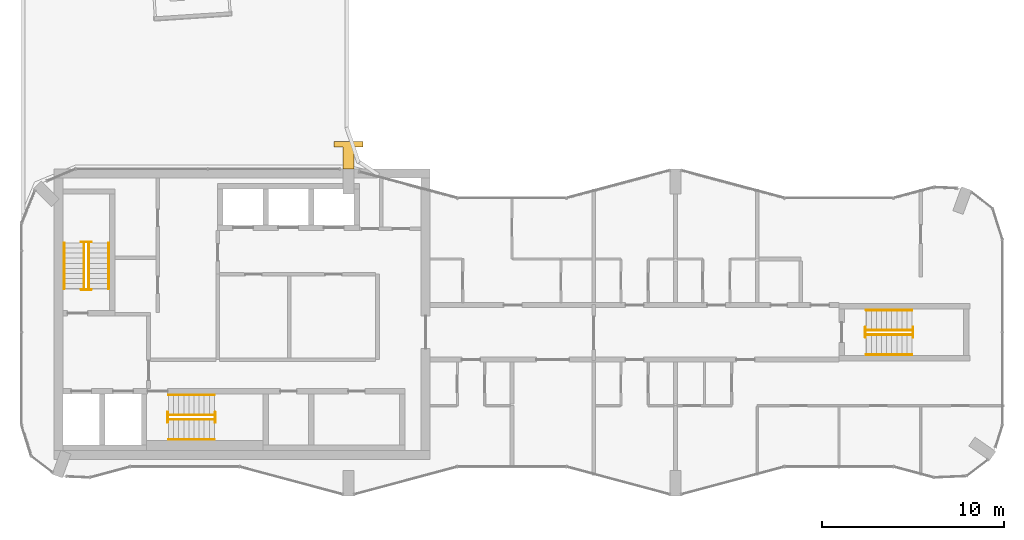
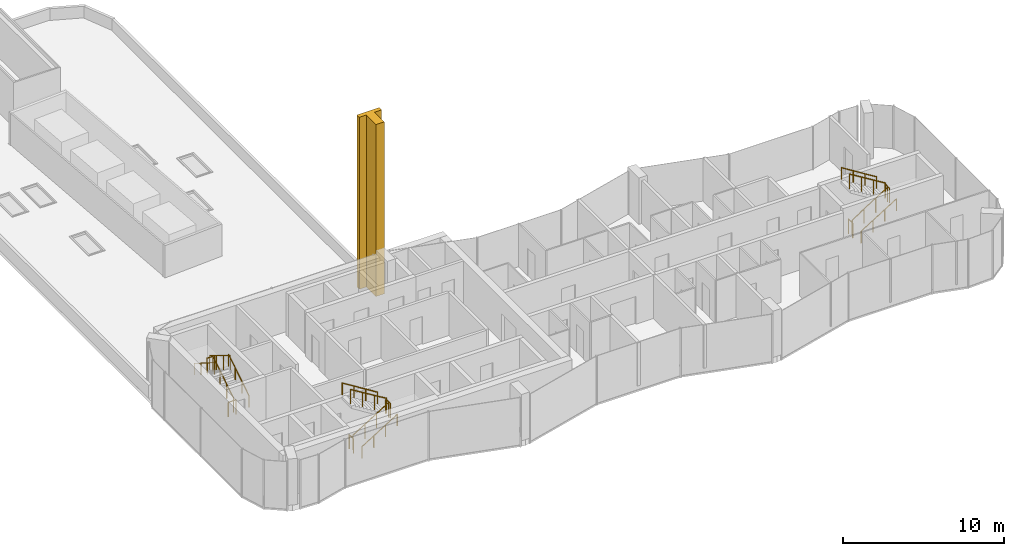
# One storey, part 11 of 13: 18 railings, 1 covering.
"""IFC4 building model written with IfcOpenShell, lengths in metres."""

from ifc_helpers import new_model, si_unit, direction, frame, origin, origin_2d, place, context, subcontext, project, spatial, polyline, circle, outline, extrude, material, type_object, element, save


model = new_model("IFC4")

# Units and contexts
model_context = context("Model", 3, precision=1e-05, world=origin(), true_north=direction((0.0, 1.0)))
body_context = subcontext(model_context, "Body", "Model", "MODEL_VIEW")
ifc_project = project(units=[si_unit("LENGTHUNIT", "METRE"), si_unit("AREAUNIT", "SQUARE_METRE"), si_unit("VOLUMEUNIT", "CUBIC_METRE"), si_unit("PLANEANGLEUNIT", "RADIAN"), si_unit("MASSUNIT", "GRAM", prefix="KILO")], contexts=[model_context])

# Site, building, storey
site_placement = place(None, origin())
site = spatial("IfcSite", under=ifc_project, at=site_placement, CompositionType="ELEMENT")
building_placement = place(site_placement, origin())
building = spatial("IfcBuilding", under=site, at=building_placement, Name="Plateau Cross Towers", CompositionType="ELEMENT")
storey_placement = place(building_placement, frame((0.0, 0.0, 229.39990234375)))
storey = spatial("IfcBuildingStorey", under=building, at=storey_placement, Name="L60", CompositionType="ELEMENT", Elevation=229.39990234375)

# Covering
ifc_material_1 = material(Name="Light precast concrete cladding C40/50", Category="concrete")
covering_type = type_object("IfcCoveringType", Name="Pier fin cladding 1600x1500", PredefinedType="CLADDING", material=ifc_material_1)
covering_placement = place(storey_placement, origin())
element("IfcCovering", 1, at=covering_placement, inside=storey, type_object=covering_type, Name="Pier fin PR13", PredefinedType="CLADDING", context=body_context, shape_type="SweptSolid", body=[
    extrude(outline(polyline([(17.699951171875, 18.0), (18.300048828125, 18.0), (18.300048828125, 19.199951171875), (18.800048828125, 19.199951171875), (18.800048828125, 19.5), (17.199951171875, 19.5), (17.199951171875, 19.199951171875), (17.699951171875, 19.199951171875), (17.699951171875, 18.0)])), origin(), (0.0, 0.0, 1.0), 13.0),
])

# Railings
ifc_material_2 = material(Name="Stainless steel and toughened glass", Category="steel")
railing_type_1 = type_object("IfcRailingType", Name="RL-GUARD-1100", PredefinedType="GUARDRAIL", material=ifc_material_2)
railing_1_placement = place(storey_placement, frame((3.699951171875, 11.39990234375, 0.175048828125)))
element("IfcRailing", 2, at=railing_1_placement, inside=storey, type_object=railing_type_1, Name="L60 ST-1 stair guard 1", PredefinedType="GUARDRAIL", context=body_context, shape_type="SweptSolid", body=[
    extrude(circle(Radius=0.02392578125, at=origin_2d()), frame((0.0, 0.0, 1.076171875), z_axis=(0.0, 0.848007534815, 0.529984170421), x_axis=(-1.0, 0.0, 0.0)), (0.0, 0.0, 1.0), 2.9716796875),
    extrude(circle(Radius=0.02099609375, at=origin_2d()), origin(), (0.0, 0.0, 1.0), 1.052001953125),
    extrude(circle(Radius=0.02099609375, at=origin_2d()), frame((0.0, 0.840087890625, 0.52490234375)), (0.0, 0.0, 1.0), 1.052001953125),
    extrude(circle(Radius=0.02099609375, at=origin_2d()), frame((0.0, 1.679931640625, 1.050048828125)), (0.0, 0.0, 1.0), 1.052001953125),
    extrude(circle(Radius=0.02099609375, at=origin_2d()), frame((0.0, 2.52001953125, 1.574951171875)), (0.0, 0.0, 1.0), 1.052001953125),
])
railing_2_placement = place(storey_placement, frame((3.85009765625, 13.969970703125, 1.75)))
element("IfcRailing", 3, at=railing_2_placement, inside=storey, type_object=railing_type_1, Name="L60 ST-1 stair guard 2", PredefinedType="GUARDRAIL", context=body_context, shape_type="SweptSolid", body=[
    extrude(circle(Radius=0.02392578125, at=origin_2d()), frame((0.0, 0.0, 1.076171875), z_axis=(-1.0, 0.0, 0.0), x_axis=(0.0, -1.0, 0.0)), (0.0, 0.0, 1.0), 0.550048828125),
    extrude(circle(Radius=0.02099609375, at=origin_2d()), origin(), (0.0, 0.0, 1.0), 1.052001953125),
    extrude(circle(Radius=0.02099609375, at=origin_2d()), frame((-0.550048828125, 0.0, 0.0)), (0.0, 0.0, 1.0), 1.052001953125),
])
railing_3_placement = place(storey_placement, frame((3.449951171875, 13.919921875, 1.925048828125)))
element("IfcRailing", 4, at=railing_3_placement, inside=storey, type_object=railing_type_1, Name="L60 ST-1 stair guard 3", PredefinedType="GUARDRAIL", context=body_context, shape_type="SweptSolid", body=[
    extrude(circle(Radius=0.02392578125, at=origin_2d()), frame((0.0, 0.0, 1.076171875), z_axis=(0.0, -0.852616386126, 0.522537365276), x_axis=(1.0, 0.0, 0.0)), (0.0, 0.0, 1.0), 3.01416015625),
    extrude(circle(Radius=0.02099609375, at=origin_2d()), origin(), (0.0, 0.0, 1.0), 1.052001953125),
    extrude(circle(Radius=0.02099609375, at=origin_2d()), frame((0.0, -0.856689453125, 0.52490234375)), (0.0, 0.0, 1.0), 1.052001953125),
    extrude(circle(Radius=0.02099609375, at=origin_2d()), frame((0.0, -1.713134765625, 1.050048828125)), (0.0, 0.0, 1.0), 1.052001953125),
    extrude(circle(Radius=0.02099609375, at=origin_2d()), frame((0.0, -2.56982421875, 1.574951171875)), (0.0, 0.0, 1.0), 1.052001953125),
])
railing_4_placement = place(storey_placement, frame((3.85009765625, 11.35009765625, 0.0)))
element("IfcRailing", 5, at=railing_4_placement, inside=storey, type_object=railing_type_1, Name="L60 ST-1 stair guard 4", PredefinedType="GUARDRAIL", context=body_context, shape_type="SweptSolid", body=[
    extrude(circle(Radius=0.02392578125, at=origin_2d()), frame((0.0, 0.0, 1.076171875), z_axis=(-1.0, 0.0, 0.0), x_axis=(0.0, -1.0, 0.0)), (0.0, 0.0, 1.0), 0.550048828125),
    extrude(circle(Radius=0.02099609375, at=origin_2d()), origin(), (0.0, 0.0, 1.0), 1.052001953125),
    extrude(circle(Radius=0.02099609375, at=origin_2d()), frame((-0.550048828125, 0.0, 0.0)), (0.0, 0.0, 1.0), 1.052001953125),
])
railing_5_placement = place(storey_placement, frame((8.10009765625, 4.199951171875, 0.175048828125)))
element("IfcRailing", 6, at=railing_5_placement, inside=storey, type_object=railing_type_1, Name="L60 ST-2 stair guard 1", PredefinedType="GUARDRAIL", context=body_context, shape_type="SweptSolid", body=[
    extrude(circle(Radius=0.02392578125, at=origin_2d()), frame((0.0, 0.0, 1.076171875), z_axis=(0.848007534815, 0.0, 0.529984170421), x_axis=(0.0, 1.0, 0.0)), (0.0, 0.0, 1.0), 2.9716796875),
    extrude(circle(Radius=0.02099609375, at=origin_2d()), origin(), (0.0, 0.0, 1.0), 1.052001953125),
    extrude(circle(Radius=0.02099609375, at=origin_2d()), frame((0.840087890625, 0.0, 0.52490234375)), (0.0, 0.0, 1.0), 1.052001953125),
    extrude(circle(Radius=0.02099609375, at=origin_2d()), frame((1.679931640625, 0.0, 1.050048828125)), (0.0, 0.0, 1.0), 1.052001953125),
    extrude(circle(Radius=0.02099609375, at=origin_2d()), frame((2.52001953125, 0.0, 1.574951171875)), (0.0, 0.0, 1.0), 1.052001953125),
])
railing_6_placement = place(storey_placement, frame((10.669921875, 4.050048828125, 1.75)))
element("IfcRailing", 7, at=railing_6_placement, inside=storey, type_object=railing_type_1, Name="L60 ST-2 stair guard 2", PredefinedType="GUARDRAIL", context=body_context, shape_type="SweptSolid", body=[
    extrude(circle(Radius=0.02392578125, at=origin_2d()), frame((0.0, 0.0, 1.076171875), z_axis=(0.0, 1.0, 0.0), x_axis=(-1.0, 0.0, 0.0)), (0.0, 0.0, 1.0), 0.550048828125),
    extrude(circle(Radius=0.02099609375, at=origin_2d()), origin(), (0.0, 0.0, 1.0), 1.052001953125),
    extrude(circle(Radius=0.02099609375, at=origin_2d()), frame((0.0, 0.550048828125, 0.0)), (0.0, 0.0, 1.0), 1.052001953125),
])
railing_7_placement = place(storey_placement, frame((10.6201171875, 4.449951171875, 1.925048828125)))
element("IfcRailing", 8, at=railing_7_placement, inside=storey, type_object=railing_type_1, Name="L60 ST-2 stair guard 3", PredefinedType="GUARDRAIL", context=body_context, shape_type="SweptSolid", body=[
    extrude(circle(Radius=0.02392578125, at=origin_2d()), frame((0.0, 0.0, 1.076171875), z_axis=(-0.852638500773, 0.0, 0.522501279423), x_axis=(0.0, -1.0, 0.0)), (0.0, 0.0, 1.0), 3.01416015625),
    extrude(circle(Radius=0.02099609375, at=origin_2d()), origin(), (0.0, 0.0, 1.0), 1.052001953125),
    extrude(circle(Radius=0.02099609375, at=origin_2d()), frame((-0.856689453125, 0.0, 0.52490234375)), (0.0, 0.0, 1.0), 1.052001953125),
    extrude(circle(Radius=0.02099609375, at=origin_2d()), frame((-1.71337890625, 0.0, 1.050048828125)), (0.0, 0.0, 1.0), 1.052001953125),
    extrude(circle(Radius=0.02099609375, at=origin_2d()), frame((-2.570068359375, 0.0, 1.574951171875)), (0.0, 0.0, 1.0), 1.052001953125),
])
railing_8_placement = place(storey_placement, frame((8.050048828125, 4.050048828125, 0.0)))
element("IfcRailing", 9, at=railing_8_placement, inside=storey, type_object=railing_type_1, Name="L60 ST-2 stair guard 4", PredefinedType="GUARDRAIL", context=body_context, shape_type="SweptSolid", body=[
    extrude(circle(Radius=0.02392578125, at=origin_2d()), frame((0.0, 0.0, 1.076171875), z_axis=(0.0, 1.0, 0.0), x_axis=(-1.0, 0.0, 0.0)), (0.0, 0.0, 1.0), 0.550048828125),
    extrude(circle(Radius=0.02099609375, at=origin_2d()), origin(), (0.0, 0.0, 1.0), 1.052001953125),
    extrude(circle(Radius=0.02099609375, at=origin_2d()), frame((0.0, 0.550048828125, 0.0)), (0.0, 0.0, 1.0), 1.052001953125),
])
railing_9_placement = place(storey_placement, frame((46.5, 8.875, 0.175048828125)))
element("IfcRailing", 10, at=railing_9_placement, inside=storey, type_object=railing_type_1, Name="L60 ES-E stair guard 1", PredefinedType="GUARDRAIL", context=body_context, shape_type="SweptSolid", body=[
    extrude(circle(Radius=0.02392578125, at=origin_2d()), frame((0.0, 0.0, 1.076171875), z_axis=(0.848007534815, 0.0, 0.529984170421), x_axis=(0.0, 1.0, 0.0)), (0.0, 0.0, 1.0), 2.9716796875),
    extrude(circle(Radius=0.02099609375, at=origin_2d()), origin(), (0.0, 0.0, 1.0), 1.052001953125),
    extrude(circle(Radius=0.02099609375, at=origin_2d()), frame((0.840087890625, 0.0, 0.52490234375)), (0.0, 0.0, 1.0), 1.052001953125),
    extrude(circle(Radius=0.02099609375, at=origin_2d()), frame((1.679931640625, 0.0, 1.050048828125)), (0.0, 0.0, 1.0), 1.052001953125),
    extrude(circle(Radius=0.02099609375, at=origin_2d()), frame((2.52001953125, 0.0, 1.574951171875)), (0.0, 0.0, 1.0), 1.052001953125),
])
railing_10_placement = place(storey_placement, frame((49.070068359375, 8.72509765625, 1.75)))
element("IfcRailing", 11, at=railing_10_placement, inside=storey, type_object=railing_type_1, Name="L60 ES-E stair guard 2", PredefinedType="GUARDRAIL", context=body_context, shape_type="SweptSolid", body=[
    extrude(circle(Radius=0.02392578125, at=origin_2d()), frame((0.0, 0.0, 1.076171875), z_axis=(0.0, 1.0, 0.0), x_axis=(-1.0, 0.0, 0.0)), (0.0, 0.0, 1.0), 0.5498046875),
    extrude(circle(Radius=0.02099609375, at=origin_2d()), origin(), (0.0, 0.0, 1.0), 1.052001953125),
    extrude(circle(Radius=0.02099609375, at=origin_2d()), frame((0.0, 0.5498046875, 0.0)), (0.0, 0.0, 1.0), 1.052001953125),
])
railing_11_placement = place(storey_placement, frame((49.02001953125, 9.125, 1.925048828125)))
element("IfcRailing", 12, at=railing_11_placement, inside=storey, type_object=railing_type_1, Name="L60 ES-E stair guard 3", PredefinedType="GUARDRAIL", context=body_context, shape_type="SweptSolid", body=[
    extrude(circle(Radius=0.02392578125, at=origin_2d()), frame((0.0, 0.0, 1.076171875), z_axis=(-0.852638500773, 0.0, 0.522501279423), x_axis=(0.0, -1.0, 0.0)), (0.0, 0.0, 1.0), 3.01416015625),
    extrude(circle(Radius=0.02099609375, at=origin_2d()), origin(), (0.0, 0.0, 1.0), 1.052001953125),
    extrude(circle(Radius=0.02099609375, at=origin_2d()), frame((-0.856689453125, 0.0, 0.52490234375)), (0.0, 0.0, 1.0), 1.052001953125),
    extrude(circle(Radius=0.02099609375, at=origin_2d()), frame((-1.71337890625, 0.0, 1.050048828125)), (0.0, 0.0, 1.0), 1.052001953125),
    extrude(circle(Radius=0.02099609375, at=origin_2d()), frame((-2.570068359375, 0.0, 1.574951171875)), (0.0, 0.0, 1.0), 1.052001953125),
])
railing_12_placement = place(storey_placement, frame((46.449951171875, 8.72509765625, 0.0)))
element("IfcRailing", 13, at=railing_12_placement, inside=storey, type_object=railing_type_1, Name="L60 ES-E stair guard 4", PredefinedType="GUARDRAIL", context=body_context, shape_type="SweptSolid", body=[
    extrude(circle(Radius=0.02392578125, at=origin_2d()), frame((0.0, 0.0, 1.076171875), z_axis=(0.0, 1.0, 0.0), x_axis=(-1.0, 0.0, 0.0)), (0.0, 0.0, 1.0), 0.5498046875),
    extrude(circle(Radius=0.02099609375, at=origin_2d()), origin(), (0.0, 0.0, 1.0), 1.052001953125),
    extrude(circle(Radius=0.02099609375, at=origin_2d()), frame((0.0, 0.5498046875, 0.0)), (0.0, 0.0, 1.0), 1.052001953125),
])
ifc_material_3 = material(Name="Black anodised aluminium", Category="aluminium")
railing_type_2 = type_object("IfcRailingType", Name="RL-HANDRAIL-900", PredefinedType="HANDRAIL", material=ifc_material_3)
railing_13_placement = place(storey_placement, frame((4.800048828125, 11.39990234375, 0.175048828125)))
element("IfcRailing", 14, at=railing_13_placement, inside=storey, type_object=railing_type_2, Name="L60 ST-1 stair handrail 1", PredefinedType="HANDRAIL", context=body_context, shape_type="SweptSolid", body=[
    extrude(circle(Radius=0.02392578125, at=origin_2d()), frame((0.0, 0.0, 0.8759765625), z_axis=(0.0, 0.848007534815, 0.529984170421), x_axis=(-1.0, 0.0, 0.0)), (0.0, 0.0, 1.0), 2.9716796875),
    extrude(circle(Radius=0.02099609375, at=origin_2d()), origin(), (0.0, 0.0, 1.0), 0.851806640625),
    extrude(circle(Radius=0.02099609375, at=origin_2d()), frame((0.0, 0.840087890625, 0.52490234375)), (0.0, 0.0, 1.0), 0.851806640625),
    extrude(circle(Radius=0.02099609375, at=origin_2d()), frame((0.0, 1.679931640625, 1.050048828125)), (0.0, 0.0, 1.0), 0.851806640625),
    extrude(circle(Radius=0.02099609375, at=origin_2d()), frame((0.0, 2.52001953125, 1.574951171875)), (0.0, 0.0, 1.0), 0.851806640625),
])
railing_14_placement = place(storey_placement, frame((2.35009765625, 13.919921875, 1.925048828125)))
element("IfcRailing", 15, at=railing_14_placement, inside=storey, type_object=railing_type_2, Name="L60 ST-1 stair handrail 2", PredefinedType="HANDRAIL", context=body_context, shape_type="SweptSolid", body=[
    extrude(circle(Radius=0.02392578125, at=origin_2d()), frame((0.0, 0.0, 0.8759765625), z_axis=(0.0, -0.848007534815, 0.529984170421), x_axis=(1.0, 0.0, 0.0)), (0.0, 0.0, 1.0), 2.9716796875),
    extrude(circle(Radius=0.02099609375, at=origin_2d()), origin(), (0.0, 0.0, 1.0), 0.851806640625),
    extrude(circle(Radius=0.02099609375, at=origin_2d()), frame((0.0, -0.840087890625, 0.52490234375)), (0.0, 0.0, 1.0), 0.851806640625),
    extrude(circle(Radius=0.02099609375, at=origin_2d()), frame((0.0, -1.679931640625, 1.050048828125)), (0.0, 0.0, 1.0), 0.851806640625),
    extrude(circle(Radius=0.02099609375, at=origin_2d()), frame((0.0, -2.52001953125, 1.574951171875)), (0.0, 0.0, 1.0), 0.851806640625),
])
railing_15_placement = place(storey_placement, frame((8.10009765625, 3.10009765625, 0.175048828125)))
element("IfcRailing", 16, at=railing_15_placement, inside=storey, type_object=railing_type_2, Name="L60 ST-2 stair handrail 1", PredefinedType="HANDRAIL", context=body_context, shape_type="SweptSolid", body=[
    extrude(circle(Radius=0.02392578125, at=origin_2d()), frame((0.0, 0.0, 0.8759765625), z_axis=(0.848007534815, 0.0, 0.529984170421), x_axis=(0.0, 1.0, 0.0)), (0.0, 0.0, 1.0), 2.9716796875),
    extrude(circle(Radius=0.02099609375, at=origin_2d()), origin(), (0.0, 0.0, 1.0), 0.851806640625),
    extrude(circle(Radius=0.02099609375, at=origin_2d()), frame((0.840087890625, 0.0, 0.52490234375)), (0.0, 0.0, 1.0), 0.851806640625),
    extrude(circle(Radius=0.02099609375, at=origin_2d()), frame((1.679931640625, 0.0, 1.050048828125)), (0.0, 0.0, 1.0), 0.851806640625),
    extrude(circle(Radius=0.02099609375, at=origin_2d()), frame((2.52001953125, 0.0, 1.574951171875)), (0.0, 0.0, 1.0), 0.851806640625),
])
railing_16_placement = place(storey_placement, frame((10.6201171875, 5.550048828125, 1.925048828125)))
element("IfcRailing", 17, at=railing_16_placement, inside=storey, type_object=railing_type_2, Name="L60 ST-2 stair handrail 2", PredefinedType="HANDRAIL", context=body_context, shape_type="SweptSolid", body=[
    extrude(circle(Radius=0.02392578125, at=origin_2d()), frame((0.0, 0.0, 0.8759765625), z_axis=(-0.848007534815, 0.0, 0.529984170421), x_axis=(0.0, -1.0, 0.0)), (0.0, 0.0, 1.0), 2.9716796875),
    extrude(circle(Radius=0.02099609375, at=origin_2d()), origin(), (0.0, 0.0, 1.0), 0.851806640625),
    extrude(circle(Radius=0.02099609375, at=origin_2d()), frame((-0.840087890625, 0.0, 0.52490234375)), (0.0, 0.0, 1.0), 0.851806640625),
    extrude(circle(Radius=0.02099609375, at=origin_2d()), frame((-1.679931640625, 0.0, 1.050048828125)), (0.0, 0.0, 1.0), 0.851806640625),
    extrude(circle(Radius=0.02099609375, at=origin_2d()), frame((-2.52001953125, 0.0, 1.574951171875)), (0.0, 0.0, 1.0), 0.851806640625),
])
railing_17_placement = place(storey_placement, frame((46.5, 7.77490234375, 0.175048828125)))
element("IfcRailing", 18, at=railing_17_placement, inside=storey, type_object=railing_type_2, Name="L60 ES-E stair handrail 1", PredefinedType="HANDRAIL", context=body_context, shape_type="SweptSolid", body=[
    extrude(circle(Radius=0.02392578125, at=origin_2d()), frame((0.0, 0.0, 0.8759765625), z_axis=(0.848007534815, 0.0, 0.529984170421), x_axis=(0.0, 1.0, 0.0)), (0.0, 0.0, 1.0), 2.9716796875),
    extrude(circle(Radius=0.02099609375, at=origin_2d()), origin(), (0.0, 0.0, 1.0), 0.851806640625),
    extrude(circle(Radius=0.02099609375, at=origin_2d()), frame((0.840087890625, 0.0, 0.52490234375)), (0.0, 0.0, 1.0), 0.851806640625),
    extrude(circle(Radius=0.02099609375, at=origin_2d()), frame((1.679931640625, 0.0, 1.050048828125)), (0.0, 0.0, 1.0), 0.851806640625),
    extrude(circle(Radius=0.02099609375, at=origin_2d()), frame((2.52001953125, 0.0, 1.574951171875)), (0.0, 0.0, 1.0), 0.851806640625),
])
railing_18_placement = place(storey_placement, frame((49.02001953125, 10.22509765625, 1.925048828125)))
element("IfcRailing", 19, at=railing_18_placement, inside=storey, type_object=railing_type_2, Name="L60 ES-E stair handrail 2", PredefinedType="HANDRAIL", context=body_context, shape_type="SweptSolid", body=[
    extrude(circle(Radius=0.02392578125, at=origin_2d()), frame((0.0, 0.0, 0.8759765625), z_axis=(-0.848007534815, 0.0, 0.529984170421), x_axis=(0.0, -1.0, 0.0)), (0.0, 0.0, 1.0), 2.9716796875),
    extrude(circle(Radius=0.02099609375, at=origin_2d()), origin(), (0.0, 0.0, 1.0), 0.851806640625),
    extrude(circle(Radius=0.02099609375, at=origin_2d()), frame((-0.840087890625, 0.0, 0.52490234375)), (0.0, 0.0, 1.0), 0.851806640625),
    extrude(circle(Radius=0.02099609375, at=origin_2d()), frame((-1.679931640625, 0.0, 1.050048828125)), (0.0, 0.0, 1.0), 0.851806640625),
    extrude(circle(Radius=0.02099609375, at=origin_2d()), frame((-2.52001953125, 0.0, 1.574951171875)), (0.0, 0.0, 1.0), 0.851806640625),
])

save(model, "model.ifc")
